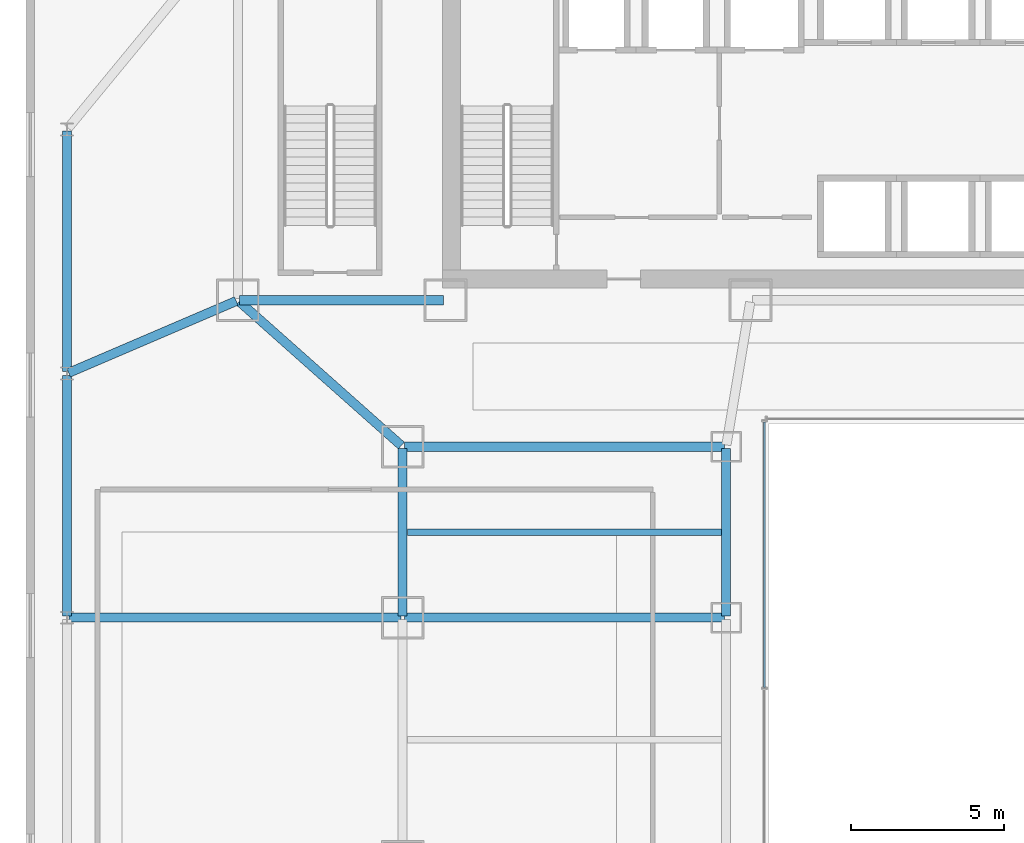
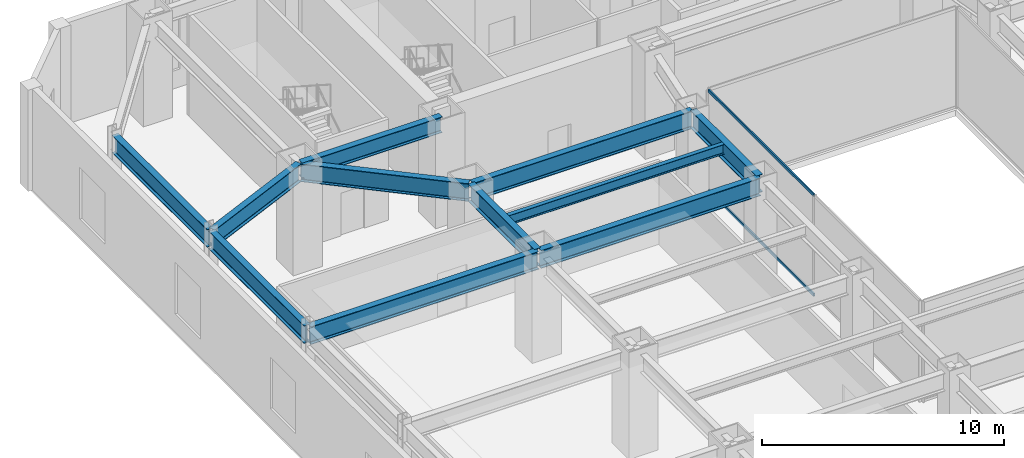
# One storey, part 23 of 51: 11 beams, 2 members, 1 element without a shape of its own.
"""IFC4 building model written with IfcOpenShell, lengths in metres."""

from ifc_helpers import new_model, si_unit, direction, frame, origin, origin_2d, place, context, subcontext, project, spatial, hollow_rectangle, i_section, extrude, material, material_profile, profile_set, type_object, element, aggregate, save


model = new_model("IFC4")

# Units and contexts
model_context = context("Model", 3, precision=1e-05, world=origin(), true_north=direction((0.0, 1.0)))
body_context = subcontext(model_context, "Body", "Model", "MODEL_VIEW")
ifc_project = project(units=[si_unit("LENGTHUNIT", "METRE"), si_unit("AREAUNIT", "SQUARE_METRE"), si_unit("VOLUMEUNIT", "CUBIC_METRE"), si_unit("PLANEANGLEUNIT", "RADIAN"), si_unit("MASSUNIT", "GRAM", prefix="KILO")], contexts=[model_context])

# Site, building, storey
site_placement = place(None, origin())
site = spatial("IfcSite", under=ifc_project, at=site_placement, CompositionType="ELEMENT")
building_placement = place(site_placement, origin())
building = spatial("IfcBuilding", under=site, at=building_placement, Name="Saevonmaru Cultural Tower", CompositionType="ELEMENT")
storey_placement = place(building_placement, frame((0.0, 0.0, 6.0)))
storey = spatial("IfcBuildingStorey", under=building, at=storey_placement, Name="L01", CompositionType="ELEMENT", Elevation=6.0)

# Beams
ifc_material_1 = material(Name="Steel SM420", Category="steel")
ifc_material_profile_1 = material_profile(ifc_material_1, i_section(OverallWidth=0.300048828125, OverallDepth=0.800048828125, WebThickness=0.013916015625, FlangeThickness=0.02587890625, FilletRadius=0.028076171875, at=origin_2d()), Name="H-800x300x14x26")
ifc_profile_set_1 = profile_set([ifc_material_profile_1], Name="Steel SM420")
beam_type_1 = type_object("IfcBeamType", Name="BM-G-H800", PredefinedType="BEAM", material=ifc_profile_set_1)
beam_1_placement = place(storey_placement, frame((6.860107421875, 42.39990234375, 4.699951171875), z_axis=(1.0, 0.0, 0.0), x_axis=(0.0, 1.0, 0.0)))
element("IfcBeam", 1, at=beam_1_placement, inside=storey, type_object=beam_type_1, Name="L01 Core South Girder 1", PredefinedType="BEAM", context=body_context, shape_type="SweptSolid", body=[
    extrude(i_section(OverallWidth=0.300048828125, OverallDepth=0.800048828125, WebThickness=0.013916015625, FlangeThickness=0.02587890625, FilletRadius=0.028076171875, at=origin_2d()), origin(), (0.0, 0.0, 1.0), 6.679931640625),
])
ifc_material_profile_2 = material_profile(ifc_material_1, i_section(OverallWidth=0.300048828125, OverallDepth=0.89990234375, WebThickness=0.01611328125, FlangeThickness=0.028076171875, FilletRadius=0.028076171875, at=origin_2d()), Name="H-900x300x16x28")
ifc_profile_set_2 = profile_set([ifc_material_profile_2], Name="Steel SM420")
beam_type_2 = type_object("IfcBeamType", Name="BM-G-H900", PredefinedType="BEAM", material=ifc_profile_set_2)
beam_2_placement = place(storey_placement, frame((12.199951171875, 32.06005859375, 4.64990234375), z_axis=(0.0, 1.0, 0.0), x_axis=(-1.0, 0.0, 0.0)))
element("IfcBeam", 2, at=beam_2_placement, inside=storey, type_object=beam_type_2, Name="L01 Podium Girder NS1-5", PredefinedType="BEAM", context=body_context, shape_type="SweptSolid", body=[
    extrude(i_section(OverallWidth=0.300048828125, OverallDepth=0.89990234375, WebThickness=0.01611328125, FlangeThickness=0.028076171875, FilletRadius=0.028076171875, at=origin_2d()), origin(), (0.0, 0.0, 1.0), 5.47998046875),
])
beam_3_placement = place(storey_placement, frame((12.1552734375, 37.639892578125, 4.64990234375), z_axis=(-0.74742827637, 0.664342510819, 0.0), x_axis=(-0.664342510819, -0.74742827637, 0.0)))
element("IfcBeam", 3, at=beam_3_placement, inside=storey, type_object=beam_type_2, Name="L01 Podium Girder NS1-6", PredefinedType="BEAM", context=body_context, shape_type="SweptSolid", body=[
    extrude(i_section(OverallWidth=0.300048828125, OverallDepth=0.89990234375, WebThickness=0.01611328125, FlangeThickness=0.028076171875, FilletRadius=0.028076171875, at=origin_2d()), origin(), (0.0, 0.0, 1.0), 7.10498046875),
])
beam_4_placement = place(storey_placement, frame((22.800048828125, 32.06005859375, 4.64990234375), z_axis=(0.0, 1.0, 0.0), x_axis=(-1.0, 0.0, 0.0)))
element("IfcBeam", 4, at=beam_4_placement, inside=storey, type_object=beam_type_2, Name="L01 Podium Girder NS2-5", PredefinedType="BEAM", context=body_context, shape_type="SweptSolid", body=[
    extrude(i_section(OverallWidth=0.300048828125, OverallDepth=0.89990234375, WebThickness=0.01611328125, FlangeThickness=0.028076171875, FilletRadius=0.028076171875, at=origin_2d()), origin(), (0.0, 0.0, 1.0), 5.47998046875),
])
for number, where, z_axis, x_axis, name in (
    (5, (12.260009765625, 32.0, 4.64990234375), (1.0, 0.0, 0.0), (0.0, 1.0, 0.0), "L01 Gallery Girder W-4"),
    (6, (12.260009765625, 37.60009765625, 4.64990234375), (1.0, 0.0, 0.0), (0.0, 1.0, 0.0), "L01 Gallery Girder W-5"),
):
    element("IfcBeam", number, at=place(storey_placement, frame(where, z_axis=z_axis, x_axis=x_axis)), inside=storey, type_object=beam_type_2, Name=name, PredefinedType="BEAM", context=body_context, shape_type="SweptSolid", body=[
        extrude(i_section(OverallWidth=0.300048828125, OverallDepth=0.89990234375, WebThickness=0.01611328125, FlangeThickness=0.028076171875, FilletRadius=0.028076171875, at=origin_2d()), origin(), (0.0, 0.0, 1.0), 10.47998046875),
    ])
beam_5_placement = place(storey_placement, frame((1.260009765625, 32.0, 4.64990234375), z_axis=(1.0, 0.0, 0.0), x_axis=(0.0, 1.0, 0.0)))
element("IfcBeam", 7, at=beam_5_placement, inside=storey, type_object=beam_type_2, Name="BM-POD-OW-4-L01", PredefinedType="BEAM", context=body_context, shape_type="SweptSolid", body=[
    extrude(i_section(OverallWidth=0.300048828125, OverallDepth=0.89990234375, WebThickness=0.01611328125, FlangeThickness=0.028076171875, FilletRadius=0.028076171875, at=origin_2d()), origin(), (0.0, 0.0, 1.0), 10.8798828125),
])
for number, where, z_axis, x_axis, name in (
    (8, (1.199951171875, 32.06005859375, 4.64990234375), (0.0, 1.0, 0.0), (-1.0, 0.0, 0.0), "BM-POD-PW-4-L01"),
    (9, (1.199951171875, 40.06005859375, 4.64990234375), (0.0, 1.0, 0.0), (-1.0, 0.0, 0.0), "BM-POD-PW-5-L01"),
):
    element("IfcBeam", number, at=place(storey_placement, frame(where, z_axis=z_axis, x_axis=x_axis)), inside=storey, type_object=beam_type_2, Name=name, PredefinedType="BEAM", context=body_context, shape_type="SweptSolid", body=[
        extrude(i_section(OverallWidth=0.300048828125, OverallDepth=0.89990234375, WebThickness=0.01611328125, FlangeThickness=0.028076171875, FilletRadius=0.028076171875, at=origin_2d()), origin(), (0.0, 0.0, 1.0), 7.8798828125),
    ])
beam_6_placement = place(storey_placement, frame((1.255126953125, 40.023681640625, 4.64990234375), z_axis=(0.919142915717, 0.393924231912, 0.0), x_axis=(-0.393924231912, 0.919142915717, 0.0)))
element("IfcBeam", 10, at=beam_6_placement, inside=storey, type_object=beam_type_2, Name="BM-POD-TW1-L01", PredefinedType="BEAM", context=body_context, shape_type="SweptSolid", body=[
    extrude(i_section(OverallWidth=0.300048828125, OverallDepth=0.89990234375, WebThickness=0.01611328125, FlangeThickness=0.028076171875, FilletRadius=0.028076171875, at=origin_2d()), origin(), (0.0, 0.0, 1.0), 5.97265625),
])
ifc_material_2 = material(Name="Steel SM355", Category="steel")
ifc_material_profile_3 = material_profile(ifc_material_2, i_section(OverallWidth=0.199951171875, OverallDepth=0.5, WebThickness=0.010009765625, FlangeThickness=0.01611328125, FilletRadius=0.02001953125, at=origin_2d()), Name="H-500x200x10x16")
ifc_profile_set_3 = profile_set([ifc_material_profile_3], Name="Steel SM355")
beam_type_3 = type_object("IfcBeamType", Name="BM-J-H500", PredefinedType="JOIST", material=ifc_profile_set_3)
beam_7_placement = place(storey_placement, frame((12.35791015625, 34.800048828125, 4.85009765625), z_axis=(1.0, 0.0, 0.0), x_axis=(0.0, 1.0, 0.0)))
element("IfcBeam", 11, at=beam_7_placement, inside=storey, type_object=beam_type_3, Name="L01 Secondary Floor Joist JW-4", PredefinedType="JOIST", context=body_context, shape_type="SweptSolid", body=[
    extrude(i_section(OverallWidth=0.199951171875, OverallDepth=0.5, WebThickness=0.010009765625, FlangeThickness=0.01611328125, FilletRadius=0.02001953125, at=origin_2d()), origin(), (0.0, 0.0, 1.0), 10.2841796875),
])

# Curtain wall, members
ifc_material_3 = material(Name="Satin Bronze Anodised Aluminium", Category="aluminium")
curtain_wall_type = type_object("IfcCurtainWallType", Name="CW-ATR-GLZ", PredefinedType="NOTDEFINED", material=ifc_material_3)
curtain_wall_placement = place(storey_placement, origin())
curtain_wall = element("IfcCurtainWall", 12, at=curtain_wall_placement, inside=storey, type_object=curtain_wall_type, Name="L01 Vertical Atrium Glazed Smoke Screen 4", PredefinedType="NOTDEFINED")
ifc_material_profile_4 = material_profile(ifc_material_3, hollow_rectangle(XDim=0.06494140625, YDim=0.14990234375, WallThickness=0.00390625, at=origin_2d()), Name="ALU-TRAN-150x65x4")
ifc_profile_set_4 = profile_set([ifc_material_profile_4], Name="Satin Bronze Anodised Aluminium")
member_type = type_object("IfcMemberType", Name="TR-CW-INT-150x65", PredefinedType="USERDEFINED", material=ifc_profile_set_4)
member_1_placement = place(storey_placement, frame((24.050048828125, 38.41748046875, 0.032470703125), z_axis=(0.0, -1.0, 0.0), x_axis=(1.0, 0.0, 0.0)))
member_1 = element("IfcMember", 13, at=member_1_placement, type_object=member_type, Name="CW-ATR-L01-4 transom 1.1", ObjectType="TRANSOM", PredefinedType="USERDEFINED", context=body_context, shape_type="SweptSolid", body=[
    extrude(hollow_rectangle(XDim=0.06494140625, YDim=0.14990234375, WallThickness=0.00390625, at=origin_2d()), origin(), (0.0, 0.0, 1.0), 8.705078125),
])
member_2_placement = place(storey_placement, frame((24.050048828125, 38.41748046875, 5.0673828125), z_axis=(0.0, -1.0, 0.0), x_axis=(1.0, 0.0, 0.0)))
member_2 = element("IfcMember", 14, at=member_2_placement, type_object=member_type, Name="CW-ATR-L01-4 transom 1.2", ObjectType="TRANSOM", PredefinedType="USERDEFINED", context=body_context, shape_type="SweptSolid", body=[
    extrude(hollow_rectangle(XDim=0.06494140625, YDim=0.14990234375, WallThickness=0.00390625, at=origin_2d()), origin(), (0.0, 0.0, 1.0), 8.705078125),
])
aggregate(curtain_wall, [member_1, member_2])

save(model, "model.ifc")
